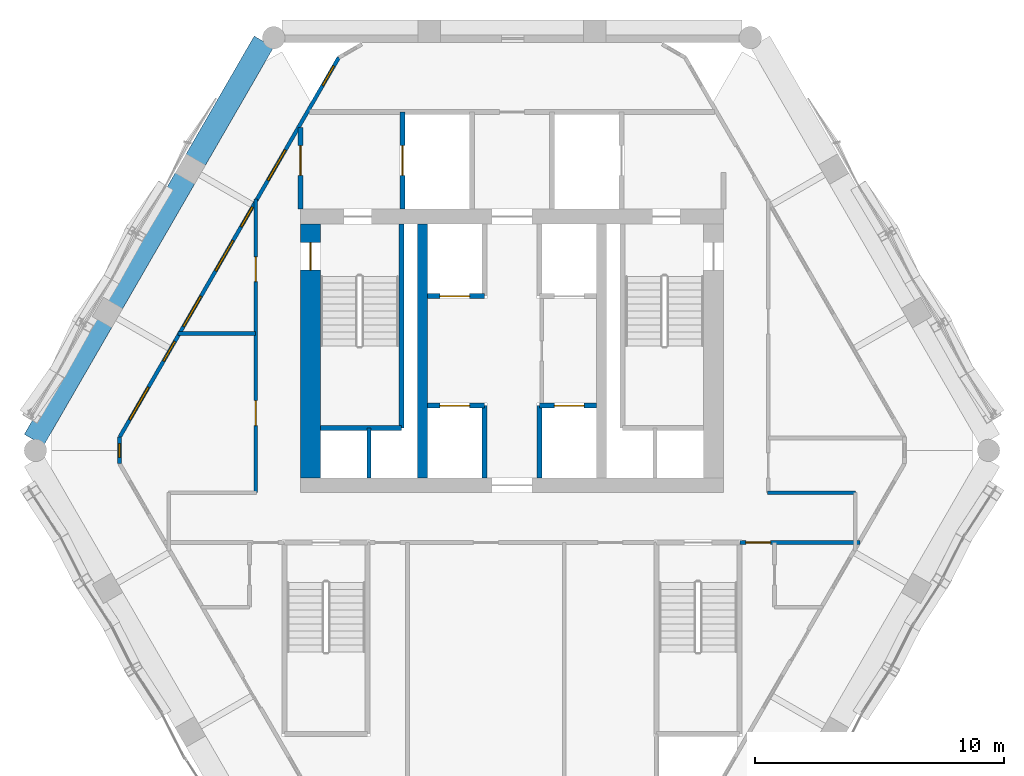
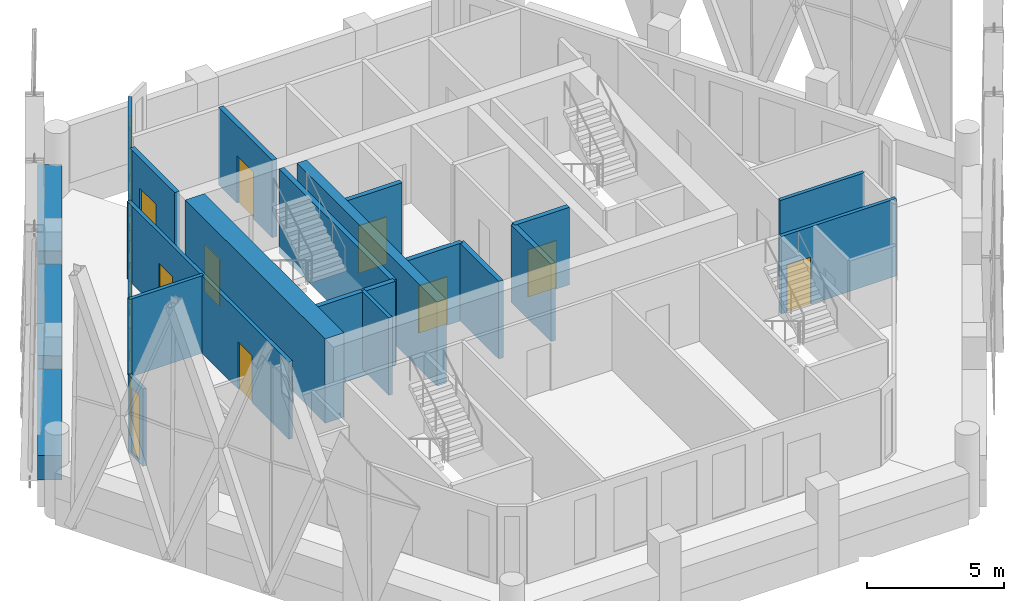
# One storey, part 13 of 18: 21 walls, 9 doors, 8 windows, 17 openings.
"""IFC4 building model written with IfcOpenShell, lengths in metres."""

from ifc_helpers import new_model, si_unit, direction, frame, frame_2d, origin, place, context, subcontext, project, spatial, rectangle, extrude, material, layer, layer_set, type_object, element, fill, save


model = new_model("IFC4")

# Units and contexts
model_context = context("Model", 3, precision=1e-05, world=origin(), true_north=direction((0.0, 1.0)))
body_context = subcontext(model_context, "Body", "Model", "MODEL_VIEW")
ifc_project = project(units=[si_unit("LENGTHUNIT", "METRE"), si_unit("AREAUNIT", "SQUARE_METRE"), si_unit("VOLUMEUNIT", "CUBIC_METRE"), si_unit("PLANEANGLEUNIT", "RADIAN"), si_unit("MASSUNIT", "GRAM", prefix="KILO")], contexts=[model_context])

# Site, building, storey
site_placement = place(None, origin())
site = spatial("IfcSite", under=ifc_project, at=site_placement, CompositionType="ELEMENT")
building_placement = place(site_placement, origin())
building = spatial("IfcBuilding", under=site, at=building_placement, Name="Ostrander Bayou Hotel Tower", CompositionType="ELEMENT")
storey_placement = place(building_placement, frame((0.0, 0.0, 214.5)))
storey = spatial("IfcBuildingStorey", under=building, at=storey_placement, Name="L53", CompositionType="ELEMENT", Elevation=214.5)

# Wall, opening, door
ifc_material_1 = material(Name="Concrete f'c 60 MPa", Category="concrete")
ifc_layer_1 = layer(ifc_material_1, 0.800048828125)
ifc_layer_set_1 = layer_set([ifc_layer_1], Name="CW11 core spine wall 800 mm f'c 60 MPa")
wall_type_1 = type_object("IfcWallType", Name="CW11 core spine wall 800 mm f'c 60 MPa", PredefinedType="SHEAR", material=ifc_layer_set_1)
wall_1_placement = place(storey_placement, frame((-8.10009765625, -1.10009765625, -0.300048828125), z_axis=(0.0, 0.0, 1.0), x_axis=(0.0, 1.0, 0.0)))
wall_1 = element("IfcWall", 1, at=wall_1_placement, inside=storey, type_object=wall_type_1, Name="CW11 L53 W", PredefinedType="SHEAR", context=body_context, shape_type="SweptSolid", body=[
    extrude(rectangle(XDim=10.2001953125, YDim=0.800048828125, at=frame_2d((5.10009765625, 0.0))), origin(), (0.0, 0.0, 1.0), 3.75),
])
opening_1_placement = place(wall_1_placement, frame((8.35009765625, 0.0, 0.0)))
opening_1 = element("IfcOpeningElement", 2, at=opening_1_placement, cuts=wall_1, Name="Opening T53-008", PredefinedType="OPENING", context=body_context, shape_type="SweptSolid", body=[
    extrude(rectangle(XDim=1.10009765625, YDim=2.10009765625, at=frame_2d((0.550048828125, 1.050048828125))), frame((0.0, 0.39990234375, 0.0), z_axis=(0.0, -1.0, 0.0), x_axis=(1.0, 0.0, 0.0)), (0.0, 0.0, 1.0), 0.800048828125),
])
ifc_material_2 = material(Name="Timber door leaf", Category="wood")
door_type_1 = type_object("IfcDoorType", Name="D5 stair door 1100 x 2100 mm, 90 minute", OperationType="SINGLE_SWING_LEFT", PredefinedType="DOOR", material=ifc_material_2)
door_1_placement = place(opening_1_placement, origin())
door_1 = element("IfcDoor", 3, at=door_1_placement, inside=storey, type_object=door_type_1, Name="dr:L53:008", OperationType="SINGLE_SWING_RIGHT", OverallHeight=2.10009765625, OverallWidth=1.10009765625, PredefinedType="DOOR", context=body_context, shape_type="SweptSolid", body=[
    extrude(rectangle(XDim=1.10009765625, YDim=2.10009765625, at=frame_2d((0.550048828125, 1.050048828125))), frame((0.0, 0.02490234375, 0.0), z_axis=(0.0, -1.0, 0.0), x_axis=(1.0, 0.0, 0.0)), (0.0, 0.0, 1.0), 0.050048828125),
])
fill(opening_1, door_1)

# Wall
ifc_material_3 = material(Name="Concrete f'c 60 MPa", Category="concrete")
ifc_layer_2 = layer(ifc_material_3, 0.39990234375)
ifc_layer_set_2 = layer_set([ifc_layer_2], Name="CW12 core bank wall 400 mm f'c 60 MPa")
wall_type_2 = type_object("IfcWallType", Name="CW12 core bank wall 400 mm f'c 60 MPa", PredefinedType="SHEAR", material=ifc_layer_set_2)
wall_2_placement = place(storey_placement, frame((-3.60009765625, -1.10009765625, -0.300048828125), z_axis=(0.0, 0.0, 1.0), x_axis=(0.0, 1.0, 0.0)))
element("IfcWall", 4, at=wall_2_placement, inside=storey, type_object=wall_type_2, Name="CW12 L53 CW", PredefinedType="SHEAR", context=body_context, shape_type="SweptSolid", body=[
    extrude(rectangle(XDim=10.2001953125, YDim=0.39990234375, at=frame_2d((5.10009765625, 0.0))), origin(), (0.0, 0.0, 1.0), 3.75),
])

# Wall, openings, windows
ifc_material_4 = material(Name="Aluminium framed insulated wall", Category="aluminium")
ifc_layer_3 = layer(ifc_material_4, 0.14990234375)
ifc_layer_set_3 = layer_set([ifc_layer_3], Name="GW1 glass-line wall 150 mm")
wall_type_3 = type_object("IfcWallType", Name="GW1 glass-line wall 150 mm", PredefinedType="SOLIDWALL", material=ifc_layer_set_3)
wall_3_placement = place(storey_placement, frame((-6.96142578125, 15.79248046875, 0.0), z_axis=(0.0, 0.0, 1.0), x_axis=(-0.49999710518, -0.866027075103, 0.0)))
wall_3 = element("IfcWall", 5, at=wall_3_placement, inside=storey, type_object=wall_type_3, Name="GW1 L53 NW 1", PredefinedType="SOLIDWALL", context=body_context, shape_type="SweptSolid", body=[
    extrude(rectangle(XDim=17.62060546875, YDim=0.14990234375, at=frame_2d((8.810302734375, 0.0))), origin(), (0.0, 0.0, 1.0), 3.449951171875),
])
opening_2_placement = place(wall_3_placement, frame((4.2958984375, 0.0, 0.14990234375)))
opening_2 = element("IfcOpeningElement", 6, at=opening_2_placement, cuts=wall_3, Name="Opening W14", PredefinedType="OPENING", context=body_context, shape_type="SweptSolid", body=[
    extrude(rectangle(XDim=1.39990234375, YDim=2.85009765625, at=frame_2d((0.699951171875, 1.425048828125))), frame((0.0, 0.074951171875, 0.0), z_axis=(0.0, -1.0, 0.0), x_axis=(1.0, 0.0, 0.0)), (0.0, 0.0, 1.0), 0.14990234375),
])
opening_3_placement = place(wall_3_placement, frame((6.94921875, 0.0, 0.14990234375)))
opening_3 = element("IfcOpeningElement", 7, at=opening_3_placement, cuts=wall_3, Name="Opening W18", PredefinedType="OPENING", context=body_context, shape_type="SweptSolid", body=[
    extrude(rectangle(XDim=0.89990234375, YDim=2.85009765625, at=frame_2d((0.449951171875, 1.425048828125))), frame((0.0, 0.074951171875, 0.0), z_axis=(0.0, -1.0, 0.0), x_axis=(1.0, 0.0, 0.0)), (0.0, 0.0, 1.0), 0.14990234375),
])
opening_4_placement = place(wall_3_placement, frame((8.49609375, 0.0, 0.14990234375)))
opening_4 = element("IfcOpeningElement", 8, at=opening_4_placement, cuts=wall_3, Name="Opening W14", PredefinedType="OPENING", context=body_context, shape_type="SweptSolid", body=[
    extrude(rectangle(XDim=1.39990234375, YDim=2.85009765625, at=frame_2d((0.699951171875, 1.425048828125))), frame((0.0, 0.074951171875, 0.0), z_axis=(0.0, -1.0, 0.0), x_axis=(1.0, 0.0, 0.0)), (0.0, 0.0, 1.0), 0.14990234375),
])
opening_5_placement = place(wall_3_placement, frame((13.184814453125, 0.0, 0.14990234375)))
opening_5 = element("IfcOpeningElement", 9, at=opening_5_placement, cuts=wall_3, Name="Opening W18", PredefinedType="OPENING", context=body_context, shape_type="SweptSolid", body=[
    extrude(rectangle(XDim=0.89990234375, YDim=2.85009765625, at=frame_2d((0.449951171875, 1.425048828125))), frame((0.0, 0.074951171875, 0.0), z_axis=(0.0, -1.0, 0.0), x_axis=(1.0, 0.0, 0.0)), (0.0, 0.0, 1.0), 0.14990234375),
])
opening_6_placement = place(wall_3_placement, frame((11.084716796875, 0.0, 0.14990234375)))
opening_6 = element("IfcOpeningElement", 10, at=opening_6_placement, cuts=wall_3, Name="Opening W14", PredefinedType="OPENING", context=body_context, shape_type="SweptSolid", body=[
    extrude(rectangle(XDim=1.39990234375, YDim=2.85009765625, at=frame_2d((0.699951171875, 1.425048828125))), frame((0.0, 0.074951171875, 0.0), z_axis=(0.0, -1.0, 0.0), x_axis=(1.0, 0.0, 0.0)), (0.0, 0.0, 1.0), 0.14990234375),
])
opening_7_placement = place(wall_3_placement, frame((0.39794921875, 0.0, 0.14990234375)))
opening_7 = element("IfcOpeningElement", 11, at=opening_7_placement, cuts=wall_3, Name="Opening W18", PredefinedType="OPENING", context=body_context, shape_type="SweptSolid", body=[
    extrude(rectangle(XDim=0.89990234375, YDim=2.72998046875, at=frame_2d((0.449951171875, 1.364990234375))), frame((0.0, 0.074951171875, 0.0), z_axis=(0.0, -1.0, 0.0), x_axis=(1.0, 0.0, 0.0)), (0.0, 0.0, 1.0), 0.14990234375),
])
opening_8_placement = place(wall_3_placement, frame((15.308349609375, 0.0, 0.14990234375)))
opening_8 = element("IfcOpeningElement", 12, at=opening_8_placement, cuts=wall_3, Name="Opening W4", PredefinedType="OPENING", context=body_context, shape_type="SweptSolid", body=[
    extrude(rectangle(XDim=1.5, YDim=2.72998046875, at=frame_2d((0.75, 1.364990234375))), frame((0.0, 0.074951171875, 0.0), z_axis=(0.0, -1.0, 0.0), x_axis=(1.0, 0.0, 0.0)), (0.0, 0.0, 1.0), 0.14990234375),
])
ifc_material_5 = material(Name="Aluminium and clear glass", Category="aluminium")
window_type_1 = type_object("IfcWindowType", Name="W14 fixed window 1400 mm, bath bay, zone 4", PartitioningType="SINGLE_PANEL", PredefinedType="WINDOW", material=ifc_material_5)
window_1_placement = place(opening_2_placement, origin())
window_1 = element("IfcWindow", 13, at=window_1_placement, inside=storey, type_object=window_type_1, Name="W14 L53 NW 1", OverallHeight=2.85009765625, OverallWidth=1.39990234375, PartitioningType="SINGLE_PANEL", PredefinedType="WINDOW", context=body_context, shape_type="SweptSolid", body=[
    extrude(rectangle(XDim=1.39990234375, YDim=2.85009765625, at=frame_2d((0.699951171875, 1.425048828125))), frame((0.0, 0.030029296875, 0.0), z_axis=(0.0, -1.0, 0.0), x_axis=(1.0, 0.0, 0.0)), (0.0, 0.0, 1.0), 0.06005859375),
])
fill(opening_2, window_1)
window_2_placement = place(opening_4_placement, origin())
window_2 = element("IfcWindow", 14, at=window_2_placement, inside=storey, type_object=window_type_1, Name="W14 L53 NW 2", OverallHeight=2.85009765625, OverallWidth=1.39990234375, PartitioningType="SINGLE_PANEL", PredefinedType="WINDOW", context=body_context, shape_type="SweptSolid", body=[
    extrude(rectangle(XDim=1.39990234375, YDim=2.85009765625, at=frame_2d((0.699951171875, 1.425048828125))), frame((0.0, 0.030029296875, 0.0), z_axis=(0.0, -1.0, 0.0), x_axis=(1.0, 0.0, 0.0)), (0.0, 0.0, 1.0), 0.06005859375),
])
fill(opening_4, window_2)
window_3_placement = place(opening_6_placement, origin())
window_3 = element("IfcWindow", 15, at=window_3_placement, inside=storey, type_object=window_type_1, Name="W14 L53 NW 3", OverallHeight=2.85009765625, OverallWidth=1.39990234375, PartitioningType="SINGLE_PANEL", PredefinedType="WINDOW", context=body_context, shape_type="SweptSolid", body=[
    extrude(rectangle(XDim=1.39990234375, YDim=2.85009765625, at=frame_2d((0.699951171875, 1.425048828125))), frame((0.0, 0.030029296875, 0.0), z_axis=(0.0, -1.0, 0.0), x_axis=(1.0, 0.0, 0.0)), (0.0, 0.0, 1.0), 0.06005859375),
])
fill(opening_6, window_3)
ifc_material_6 = material(Name="Aluminium and clear glass", Category="aluminium")
window_type_2 = type_object("IfcWindowType", Name="W18 window 900 mm, zone 4", PartitioningType="SINGLE_PANEL", PredefinedType="WINDOW", material=ifc_material_6)
window_4_placement = place(opening_3_placement, origin())
window_4 = element("IfcWindow", 16, at=window_4_placement, inside=storey, type_object=window_type_2, Name="W18 L53 NW 2", OverallHeight=2.85009765625, OverallWidth=0.89990234375, PartitioningType="SINGLE_PANEL", PredefinedType="WINDOW", context=body_context, shape_type="SweptSolid", body=[
    extrude(rectangle(XDim=0.89990234375, YDim=2.85009765625, at=frame_2d((0.449951171875, 1.425048828125))), frame((0.0, 0.030029296875, 0.0), z_axis=(0.0, -1.0, 0.0), x_axis=(1.0, 0.0, 0.0)), (0.0, 0.0, 1.0), 0.06005859375),
])
fill(opening_3, window_4)
window_5_placement = place(opening_5_placement, origin())
window_5 = element("IfcWindow", 17, at=window_5_placement, inside=storey, type_object=window_type_2, Name="W18 L53 NW 3", OverallHeight=2.85009765625, OverallWidth=0.89990234375, PartitioningType="SINGLE_PANEL", PredefinedType="WINDOW", context=body_context, shape_type="SweptSolid", body=[
    extrude(rectangle(XDim=0.89990234375, YDim=2.85009765625, at=frame_2d((0.449951171875, 1.425048828125))), frame((0.0, 0.030029296875, 0.0), z_axis=(0.0, -1.0, 0.0), x_axis=(1.0, 0.0, 0.0)), (0.0, 0.0, 1.0), 0.06005859375),
])
fill(opening_5, window_5)
window_6_placement = place(opening_7_placement, origin())
window_6 = element("IfcWindow", 18, at=window_6_placement, inside=storey, type_object=window_type_2, Name="W18 L53 NW E11", OverallHeight=2.72998046875, OverallWidth=0.89990234375, PartitioningType="SINGLE_PANEL", PredefinedType="WINDOW", context=body_context, shape_type="SweptSolid", body=[
    extrude(rectangle(XDim=0.89990234375, YDim=2.72998046875, at=frame_2d((0.449951171875, 1.364990234375))), frame((0.0, 0.030029296875, 0.0), z_axis=(0.0, -1.0, 0.0), x_axis=(1.0, 0.0, 0.0)), (0.0, 0.0, 1.0), 0.06005859375),
])
fill(opening_7, window_6)
ifc_material_7 = material(Name="Aluminium and clear glass", Category="aluminium")
window_type_3 = type_object("IfcWindowType", Name="W4 fixed window 1500 mm, zone 4", PartitioningType="SINGLE_PANEL", PredefinedType="WINDOW", material=ifc_material_7)
window_7_placement = place(opening_8_placement, origin())
window_7 = element("IfcWindow", 19, at=window_7_placement, inside=storey, type_object=window_type_3, Name="W4 L53 NW E21", OverallHeight=2.72998046875, OverallWidth=1.5, PartitioningType="SINGLE_PANEL", PredefinedType="WINDOW", context=body_context, shape_type="SweptSolid", body=[
    extrude(rectangle(XDim=1.5, YDim=2.72998046875, at=frame_2d((0.75, 1.364990234375))), frame((0.0, 0.030029296875, 0.0), z_axis=(0.0, -1.0, 0.0), x_axis=(1.0, 0.0, 0.0)), (0.0, 0.0, 1.0), 0.06005859375),
])
fill(opening_8, window_7)

# Wall, opening, window
wall_4_placement = place(storey_placement, frame((-15.771728515625, 0.532470703125, 0.0), z_axis=(0.0, 0.0, 1.0), x_axis=(0.0, -1.0, 0.0)))
wall_4 = element("IfcWall", 20, at=wall_4_placement, inside=storey, type_object=wall_type_3, Name="GW1 L53 corner 2", PredefinedType="SOLIDWALL", context=body_context, shape_type="SweptSolid", body=[
    extrude(rectangle(XDim=1.06494140625, YDim=0.14990234375, at=frame_2d((0.532470703125, 0.0))), origin(), (0.0, 0.0, 1.0), 3.449951171875),
])
opening_9_placement = place(wall_4_placement, frame((0.257568359375, 0.0, 0.14990234375)))
opening_9 = element("IfcOpeningElement", 21, at=opening_9_placement, cuts=wall_4, Name="Opening W19", PredefinedType="OPENING", context=body_context, shape_type="SweptSolid", body=[
    extrude(rectangle(XDim=0.550048828125, YDim=2.85009765625, at=frame_2d((0.27490234375, 1.425048828125))), frame((0.0, 0.074951171875, 0.0), z_axis=(0.0, -1.0, 0.0), x_axis=(1.0, 0.0, 0.0)), (0.0, 0.0, 1.0), 0.14990234375),
])
ifc_material_8 = material(Name="Aluminium and clear glass", Category="aluminium")
window_type_4 = type_object("IfcWindowType", Name="W19 corner window 550 mm", PartitioningType="SINGLE_PANEL", PredefinedType="WINDOW", material=ifc_material_8)
window_8_placement = place(opening_9_placement, origin())
window_8 = element("IfcWindow", 22, at=window_8_placement, inside=storey, type_object=window_type_4, Name="W19 L53 corner 2", OverallHeight=2.85009765625, OverallWidth=0.550048828125, PartitioningType="SINGLE_PANEL", PredefinedType="WINDOW", context=body_context, shape_type="SweptSolid", body=[
    extrude(rectangle(XDim=0.550048828125, YDim=2.85009765625, at=frame_2d((0.27490234375, 1.425048828125))), frame((0.0, 0.030029296875, 0.0), z_axis=(0.0, -1.0, 0.0), x_axis=(1.0, 0.0, 0.0)), (0.0, 0.0, 1.0), 0.06005859375),
])
fill(opening_9, window_8)

# Walls
ifc_material_9 = material(Name="Concrete f'c 40 MPa", Category="concrete")
ifc_layer_4 = layer(ifc_material_9, 0.89990234375)
ifc_layer_set_4 = layer_set([ifc_layer_4], Name="PA1 stone-faced parapet 900 mm")
wall_type_4 = type_object("IfcWallType", Name="PA1 stone-faced parapet 900 mm", PredefinedType="PARAPET", material=ifc_layer_set_4)
wall_5_placement = place(storey_placement, frame((-9.971923828125, 16.427978515625, 0.0), z_axis=(0.0, 0.0, 1.0), x_axis=(-0.50000722722, -0.866021231107, 0.0)))
element("IfcWall", 23, at=wall_5_placement, inside=storey, type_object=wall_type_4, Name="PA1 L53 NW-1", PredefinedType="PARAPET", context=body_context, shape_type="SweptSolid", body=[
    extrude(rectangle(XDim=5.49169921875, YDim=0.89990234375, at=frame_2d((2.745849609375, 0.0))), origin(), (0.0, 0.0, 1.0), 1.10009765625),
])
wall_6_placement = place(storey_placement, frame((-13.1376953125, 10.944580078125, 0.0), z_axis=(0.0, 0.0, 1.0), x_axis=(-0.500015433515, -0.866016493057, 0.0)))
element("IfcWall", 24, at=wall_6_placement, inside=storey, type_object=wall_type_4, Name="PA1 L53 NW-2", PredefinedType="PARAPET", context=body_context, shape_type="SweptSolid", body=[
    extrude(rectangle(XDim=5.818603515625, YDim=0.89990234375, at=frame_2d((2.9091796875, 0.0))), origin(), (0.0, 0.0, 1.0), 1.10009765625),
])
wall_7_placement = place(storey_placement, frame((-16.46728515625, 5.177978515625, 0.0), z_axis=(0.0, 0.0, 1.0), x_axis=(-0.50000722722, -0.866021231107, 0.0)))
element("IfcWall", 25, at=wall_7_placement, inside=storey, type_object=wall_type_4, Name="PA1 L53 NW-3", PredefinedType="PARAPET", context=body_context, shape_type="SweptSolid", body=[
    extrude(rectangle(XDim=5.49169921875, YDim=0.89990234375, at=frame_2d((2.745849609375, 0.0))), origin(), (0.0, 0.0, 1.0), 1.10009765625),
])

# Wall, opening, door
ifc_material_10 = material(Name="Masonry block", Category="masonry")
ifc_layer_5 = layer(ifc_material_10, 0.199951171875)
ifc_layer_set_5 = layer_set([ifc_layer_5], Name="PT5 stair enclosure wall 200 mm masonry, 2 hour")
wall_type_5 = type_object("IfcWallType", Name="PT5 stair enclosure wall 200 mm masonry, 2 hour", PredefinedType="PARTITIONING", material=ifc_layer_set_5)
wall_8_placement = place(storey_placement, frame((-8.5, 9.699951171875, 0.0), z_axis=(0.0, 0.0, 1.0), x_axis=(0.0, 1.0, 0.0)))
wall_8 = element("IfcWall", 26, at=wall_8_placement, inside=storey, type_object=wall_type_5, Name="cs:L53:025", PredefinedType="PARTITIONING", context=body_context, shape_type="SweptSolid", body=[
    extrude(rectangle(XDim=3.277587890625, YDim=0.199951171875, at=frame_2d((1.638671875, 0.0))), origin(), (0.0, 0.0, 1.0), 3.449951171875),
])
opening_10_placement = place(wall_8_placement, frame((1.35009765625, 0.0, 0.0)))
opening_10 = element("IfcOpeningElement", 27, at=opening_10_placement, cuts=wall_8, Name="Opening T53-014", PredefinedType="OPENING", context=body_context, shape_type="SweptSolid", body=[
    extrude(rectangle(XDim=1.199951171875, YDim=2.10009765625, at=frame_2d((0.60009765625, 1.050048828125))), frame((0.0, 0.10009765625, 0.0), z_axis=(0.0, -1.0, 0.0), x_axis=(1.0, 0.0, 0.0)), (0.0, 0.0, 1.0), 0.199951171875),
])
ifc_material_11 = material(Name="Timber door leaf", Category="wood")
door_type_2 = type_object("IfcDoorType", Name="D7 lobby door 1200 x 2100 mm, 1 hour", OperationType="SINGLE_SWING_LEFT", PredefinedType="DOOR", material=ifc_material_11)
door_2_placement = place(opening_10_placement, origin())
door_2 = element("IfcDoor", 28, at=door_2_placement, inside=storey, type_object=door_type_2, Name="dr:L53:014", OperationType="SINGLE_SWING_LEFT", OverallHeight=2.10009765625, OverallWidth=1.199951171875, PredefinedType="DOOR", context=body_context, shape_type="SweptSolid", body=[
    extrude(rectangle(XDim=1.199951171875, YDim=2.10009765625, at=frame_2d((0.60009765625, 1.050048828125))), frame((0.0, 0.02490234375, 0.0), z_axis=(0.0, -1.0, 0.0), x_axis=(1.0, 0.0, 0.0)), (0.0, 0.0, 1.0), 0.050048828125),
])
fill(opening_10, door_2)

wall_9_placement = place(storey_placement, frame((-4.39990234375, 9.699951171875, 0.0), z_axis=(0.0, 0.0, 1.0), x_axis=(0.0, 1.0, 0.0)))
wall_9 = element("IfcWall", 29, at=wall_9_placement, inside=storey, type_object=wall_type_5, Name="cs:L53:027", PredefinedType="PARTITIONING", context=body_context, shape_type="SweptSolid", body=[
    extrude(rectangle(XDim=3.900146484375, YDim=0.199951171875, at=frame_2d((1.9501953125, 0.0))), origin(), (0.0, 0.0, 1.0), 3.449951171875),
])
opening_11_placement = place(wall_9_placement, frame((1.35009765625, 0.0, 0.0)))
opening_11 = element("IfcOpeningElement", 30, at=opening_11_placement, cuts=wall_9, Name="Opening T53-013", PredefinedType="OPENING", context=body_context, shape_type="SweptSolid", body=[
    extrude(rectangle(XDim=1.199951171875, YDim=2.10009765625, at=frame_2d((0.60009765625, 1.050048828125))), frame((0.0, 0.10009765625, 0.0), z_axis=(0.0, -1.0, 0.0), x_axis=(1.0, 0.0, 0.0)), (0.0, 0.0, 1.0), 0.199951171875),
])
ifc_material_12 = material(Name="Stainless steel sliding door", Category="steel")
door_type_3 = type_object("IfcDoorType", Name="LD1 lift landing door 1200 x 2100 mm", OperationType="SINGLE_SWING_LEFT", PredefinedType="DOOR", material=ifc_material_12)
door_3_placement = place(opening_11_placement, origin())
door_3 = element("IfcDoor", 31, at=door_3_placement, inside=storey, type_object=door_type_3, Name="dr:L53:013", OperationType="SLIDING_TO_LEFT", OverallHeight=2.10009765625, OverallWidth=1.199951171875, PredefinedType="DOOR", context=body_context, shape_type="SweptSolid", body=[
    extrude(rectangle(XDim=1.199951171875, YDim=2.10009765625, at=frame_2d((0.60009765625, 1.050048828125))), frame((0.0, 0.02490234375, 0.0), z_axis=(0.0, -1.0, 0.0), x_axis=(1.0, 0.0, 0.0)), (0.0, 0.0, 1.0), 0.050048828125),
])
fill(opening_11, door_3)

ifc_material_13 = material(Name="Masonry block", Category="masonry")
ifc_layer_6 = layer(ifc_material_13, 0.199951171875)
ifc_layer_set_6 = layer_set([ifc_layer_6], Name="PT6 lift shaft wall 200 mm masonry, 2 hour")
wall_type_6 = type_object("IfcWallType", Name="PT6 lift shaft wall 200 mm masonry, 2 hour", PredefinedType="PARTITIONING", material=ifc_layer_set_6)
wall_10_placement = place(storey_placement, frame((-3.39990234375, 1.800048828125, 0.0), z_axis=(0.0, 0.0, 1.0), x_axis=(1.0, 0.0, 0.0)))
wall_10 = element("IfcWall", 32, at=wall_10_placement, inside=storey, type_object=wall_type_6, Name="cs:L53:001", PredefinedType="PARTITIONING", context=body_context, shape_type="SweptSolid", body=[
    extrude(rectangle(XDim=2.2998046875, YDim=0.199951171875, at=frame_2d((1.14990234375, 0.0))), origin(), (0.0, 0.0, 1.0), 3.449951171875),
])
opening_12_placement = place(wall_10_placement, frame((0.5, 0.0, 0.0)))
opening_12 = element("IfcOpeningElement", 33, at=opening_12_placement, cuts=wall_10, Name="Opening T53-001", PredefinedType="OPENING", context=body_context, shape_type="SweptSolid", body=[
    extrude(rectangle(XDim=1.199951171875, YDim=2.10009765625, at=frame_2d((0.60009765625, 1.050048828125))), frame((0.0, 0.10009765625, 0.0), z_axis=(0.0, -1.0, 0.0), x_axis=(1.0, 0.0, 0.0)), (0.0, 0.0, 1.0), 0.199951171875),
])
door_4_placement = place(opening_12_placement, origin())
door_4 = element("IfcDoor", 34, at=door_4_placement, inside=storey, type_object=door_type_3, Name="dr:L53:001", OperationType="SLIDING_TO_LEFT", OverallHeight=2.10009765625, OverallWidth=1.199951171875, PredefinedType="DOOR", context=body_context, shape_type="SweptSolid", body=[
    extrude(rectangle(XDim=1.199951171875, YDim=2.10009765625, at=frame_2d((0.60009765625, 1.050048828125))), frame((0.0, 0.02490234375, 0.0), z_axis=(0.0, -1.0, 0.0), x_axis=(1.0, 0.0, 0.0)), (0.0, 0.0, 1.0), 0.050048828125),
])
fill(opening_12, door_4)

wall_11_placement = place(storey_placement, frame((-3.39990234375, 6.199951171875, 0.0), z_axis=(0.0, 0.0, 1.0), x_axis=(1.0, 0.0, 0.0)))
wall_11 = element("IfcWall", 35, at=wall_11_placement, inside=storey, type_object=wall_type_6, Name="cs:L53:002", PredefinedType="PARTITIONING", context=body_context, shape_type="SweptSolid", body=[
    extrude(rectangle(XDim=2.2998046875, YDim=0.199951171875, at=frame_2d((1.14990234375, 0.0))), origin(), (0.0, 0.0, 1.0), 3.449951171875),
])
opening_13_placement = place(wall_11_placement, frame((0.5, 0.0, 0.0)))
opening_13 = element("IfcOpeningElement", 36, at=opening_13_placement, cuts=wall_11, Name="Opening T53-003", PredefinedType="OPENING", context=body_context, shape_type="SweptSolid", body=[
    extrude(rectangle(XDim=1.199951171875, YDim=2.10009765625, at=frame_2d((0.60009765625, 1.050048828125))), frame((0.0, 0.10009765625, 0.0), z_axis=(0.0, -1.0, 0.0), x_axis=(1.0, 0.0, 0.0)), (0.0, 0.0, 1.0), 0.199951171875),
])
door_5_placement = place(opening_13_placement, origin())
door_5 = element("IfcDoor", 37, at=door_5_placement, inside=storey, type_object=door_type_3, Name="dr:L53:003", OperationType="SLIDING_TO_LEFT", OverallHeight=2.10009765625, OverallWidth=1.199951171875, PredefinedType="DOOR", context=body_context, shape_type="SweptSolid", body=[
    extrude(rectangle(XDim=1.199951171875, YDim=2.10009765625, at=frame_2d((0.60009765625, 1.050048828125))), frame((0.0, 0.02490234375, 0.0), z_axis=(0.0, -1.0, 0.0), x_axis=(1.0, 0.0, 0.0)), (0.0, 0.0, 1.0), 0.050048828125),
])
fill(opening_13, door_5)

wall_12_placement = place(storey_placement, frame((1.10009765625, 1.800048828125, 0.0), z_axis=(0.0, 0.0, 1.0), x_axis=(1.0, 0.0, 0.0)))
wall_12 = element("IfcWall", 38, at=wall_12_placement, inside=storey, type_object=wall_type_6, Name="cs:L53:003", PredefinedType="PARTITIONING", context=body_context, shape_type="SweptSolid", body=[
    extrude(rectangle(XDim=2.2998046875, YDim=0.199951171875, at=frame_2d((1.14990234375, 0.0))), origin(), (0.0, 0.0, 1.0), 3.449951171875),
])
opening_14_placement = place(wall_12_placement, frame((0.60009765625, 0.0, 0.0)))
opening_14 = element("IfcOpeningElement", 39, at=opening_14_placement, cuts=wall_12, Name="Opening T53-002", PredefinedType="OPENING", context=body_context, shape_type="SweptSolid", body=[
    extrude(rectangle(XDim=1.199951171875, YDim=2.10009765625, at=frame_2d((0.60009765625, 1.050048828125))), frame((0.0, 0.10009765625, 0.0), z_axis=(0.0, -1.0, 0.0), x_axis=(1.0, 0.0, 0.0)), (0.0, 0.0, 1.0), 0.199951171875),
])
door_6_placement = place(opening_14_placement, origin())
door_6 = element("IfcDoor", 40, at=door_6_placement, inside=storey, type_object=door_type_3, Name="dr:L53:002", OperationType="SLIDING_TO_LEFT", OverallHeight=2.10009765625, OverallWidth=1.199951171875, PredefinedType="DOOR", context=body_context, shape_type="SweptSolid", body=[
    extrude(rectangle(XDim=1.199951171875, YDim=2.10009765625, at=frame_2d((0.60009765625, 1.050048828125))), frame((0.0, 0.02490234375, 0.0), z_axis=(0.0, -1.0, 0.0), x_axis=(1.0, 0.0, 0.0)), (0.0, 0.0, 1.0), 0.050048828125),
])
fill(opening_14, door_6)

# Walls
for number, where, z_axis, x_axis, name in (
    (41, (-1.10009765625, -1.10009765625, 0.0), (0.0, 0.0, 1.0), (0.0, 1.0, 0.0), "cs:L53:005"),
    (42, (1.10009765625, -1.10009765625, 0.0), (0.0, 0.0, 1.0), (0.0, 1.0, 0.0), "cs:L53:006"),
):
    element("IfcWall", number, at=place(storey_placement, frame(where, z_axis=z_axis, x_axis=x_axis)), inside=storey, type_object=wall_type_6, Name=name, PredefinedType="PARTITIONING", context=body_context, shape_type="SweptSolid", body=[
        extrude(rectangle(XDim=2.900146484375, YDim=0.199951171875, at=frame_2d((1.4501953125, 0.0))), origin(), (0.0, 0.0, 1.0), 3.449951171875),
    ])
ifc_material_14 = material(Name="Gypsum board partition", Category="finish")
ifc_layer_7 = layer(ifc_material_14, 0.14990234375)
ifc_layer_set_7 = layer_set([ifc_layer_7], Name="PT7 riser wall 150 mm, 2 hour")
wall_type_7 = type_object("IfcWallType", Name="PT7 riser wall 150 mm, 2 hour", PredefinedType="PARTITIONING", material=ifc_layer_set_7)
wall_13_placement = place(storey_placement, frame((-5.75, -1.10009765625, 0.0), z_axis=(0.0, 0.0, 1.0), x_axis=(0.0, 1.0, 0.0)))
element("IfcWall", 43, at=wall_13_placement, inside=storey, type_object=wall_type_7, Name="cs:L53:011", PredefinedType="PARTITIONING", context=body_context, shape_type="SweptSolid", body=[
    extrude(rectangle(XDim=2.0, YDim=0.14990234375, at=frame_2d((1.0, 0.0))), origin(), (0.0, 0.0, 1.0), 3.449951171875),
])

# Wall, opening, door
ifc_material_15 = material(Name="Gypsum board partition", Category="finish")
ifc_layer_8 = layer(ifc_material_15, 0.14990234375)
ifc_layer_set_8 = layer_set([ifc_layer_8], Name="PT8 service band wall 150 mm, 1 hour")
wall_type_8 = type_object("IfcWallType", Name="PT8 service band wall 150 mm, 1 hour", PredefinedType="PARTITIONING", material=ifc_layer_set_8)
wall_14_placement = place(storey_placement, frame((9.159912109375, -3.699951171875, 0.0), z_axis=(0.0, 0.0, 1.0), x_axis=(1.0, 0.0, 0.0)))
wall_14 = element("IfcWall", 44, at=wall_14_placement, inside=storey, type_object=wall_type_8, Name="gw:L53:005", PredefinedType="PARTITIONING", context=body_context, shape_type="SweptSolid", body=[
    extrude(rectangle(XDim=4.835205078125, YDim=0.14990234375, at=frame_2d((2.41748046875, 0.0))), origin(), (0.0, 0.0, 1.0), 3.449951171875),
])
opening_15_placement = place(wall_14_placement, frame((0.239990234375, 0.0, 0.0)))
opening_15 = element("IfcOpeningElement", 45, at=opening_15_placement, cuts=wall_14, Name="Opening T53-405", PredefinedType="OPENING", context=body_context, shape_type="SweptSolid", body=[
    extrude(rectangle(XDim=1.0, YDim=2.10009765625, at=frame_2d((0.5, 1.050048828125))), frame((0.0, 0.074951171875, 0.0), z_axis=(0.0, -1.0, 0.0), x_axis=(1.0, 0.0, 0.0)), (0.0, 0.0, 1.0), 0.14990234375),
])
ifc_material_16 = material(Name="Timber door leaf", Category="wood")
door_type_4 = type_object("IfcDoorType", Name="D1 guest room door 1000 x 2100 mm, 30 minute", OperationType="SINGLE_SWING_LEFT", PredefinedType="DOOR", material=ifc_material_16)
door_7_placement = place(opening_15_placement, origin())
door_7 = element("IfcDoor", 46, at=door_7_placement, inside=storey, type_object=door_type_4, Name="dr:L53:405", OperationType="SINGLE_SWING_LEFT", OverallHeight=2.10009765625, OverallWidth=1.0, PredefinedType="DOOR", context=body_context, shape_type="SweptSolid", body=[
    extrude(rectangle(XDim=1.0, YDim=2.10009765625, at=frame_2d((0.5, 1.050048828125))), frame((0.0, 0.02490234375, 0.0), z_axis=(0.0, -1.0, 0.0), x_axis=(1.0, 0.0, 0.0)), (0.0, 0.0, 1.0), 0.050048828125),
])
fill(opening_15, door_7)

# Walls
wall_15_placement = place(storey_placement, frame((10.260009765625, -1.699951171875, 0.0), z_axis=(0.0, 0.0, 1.0), x_axis=(1.0, 0.0, 0.0)))
element("IfcWall", 47, at=wall_15_placement, inside=storey, type_object=wall_type_8, Name="gw:L53:007", PredefinedType="PARTITIONING", context=body_context, shape_type="SweptSolid", body=[
    extrude(rectangle(XDim=3.5400390625, YDim=0.14990234375, at=frame_2d((1.77001953125, 0.0))), origin(), (0.0, 0.0, 1.0), 3.449951171875),
])
wall_16_placement = place(storey_placement, frame((-13.41796875, 4.699951171875, 0.0), z_axis=(0.0, 0.0, 1.0), x_axis=(1.0, 0.0, 0.0)))
element("IfcWall", 48, at=wall_16_placement, inside=storey, type_object=wall_type_8, Name="gw:L53:009", PredefinedType="PARTITIONING", context=body_context, shape_type="SweptSolid", body=[
    extrude(rectangle(XDim=3.117919921875, YDim=0.14990234375, at=frame_2d((1.55908203125, 0.0))), origin(), (0.0, 0.0, 1.0), 3.449951171875),
])

# Wall, openings, doors
wall_17_placement = place(storey_placement, frame((-10.300048828125, -1.699951171875, 0.0), z_axis=(0.0, 0.0, 1.0), x_axis=(0.0, 1.0, 0.0)))
wall_17 = element("IfcWall", 49, at=wall_17_placement, inside=storey, type_object=wall_type_8, Name="gw:L53:016", PredefinedType="PARTITIONING", context=body_context, shape_type="SweptSolid", body=[
    extrude(rectangle(XDim=11.800048828125, YDim=0.14990234375, at=frame_2d((5.89990234375, 0.0))), origin(), (0.0, 0.0, 1.0), 3.449951171875),
])
opening_16_placement = place(wall_17_placement, frame((2.699951171875, 0.0, 0.0)))
opening_16 = element("IfcOpeningElement", 50, at=opening_16_placement, cuts=wall_17, Name="Opening T53-407", PredefinedType="OPENING", context=body_context, shape_type="SweptSolid", body=[
    extrude(rectangle(XDim=1.0, YDim=2.10009765625, at=frame_2d((0.5, 1.050048828125))), frame((0.0, 0.074951171875, 0.0), z_axis=(0.0, -1.0, 0.0), x_axis=(1.0, 0.0, 0.0)), (0.0, 0.0, 1.0), 0.14990234375),
])
opening_17_placement = place(wall_17_placement, frame((8.47998046875, 0.0, 0.0)))
opening_17 = element("IfcOpeningElement", 51, at=opening_17_placement, cuts=wall_17, Name="Opening T53-408", PredefinedType="OPENING", context=body_context, shape_type="SweptSolid", body=[
    extrude(rectangle(XDim=1.0, YDim=2.10009765625, at=frame_2d((0.5, 1.050048828125))), frame((0.0, 0.074951171875, 0.0), z_axis=(0.0, -1.0, 0.0), x_axis=(1.0, 0.0, 0.0)), (0.0, 0.0, 1.0), 0.14990234375),
])
ifc_material_17 = material(Name="Timber door leaf", Category="wood")
door_type_5 = type_object("IfcDoorType", Name="D15 room door 1000 x 2100 mm", OperationType="SINGLE_SWING_LEFT", PredefinedType="DOOR", material=ifc_material_17)
door_8_placement = place(opening_16_placement, origin())
door_8 = element("IfcDoor", 52, at=door_8_placement, inside=storey, type_object=door_type_5, Name="dr:L53:407", OperationType="SINGLE_SWING_RIGHT", OverallHeight=2.10009765625, OverallWidth=1.0, PredefinedType="DOOR", context=body_context, shape_type="SweptSolid", body=[
    extrude(rectangle(XDim=1.0, YDim=2.10009765625, at=frame_2d((0.5, 1.050048828125))), frame((0.0, 0.02490234375, 0.0), z_axis=(0.0, -1.0, 0.0), x_axis=(1.0, 0.0, 0.0)), (0.0, 0.0, 1.0), 0.050048828125),
])
fill(opening_16, door_8)
ifc_material_18 = material(Name="Timber door leaf", Category="wood")
door_type_6 = type_object("IfcDoorType", Name="D9 service door 1000 x 2100 mm, 30 minute", OperationType="SINGLE_SWING_LEFT", PredefinedType="DOOR", material=ifc_material_18)
door_9_placement = place(opening_17_placement, origin())
door_9 = element("IfcDoor", 53, at=door_9_placement, inside=storey, type_object=door_type_6, Name="dr:L53:408", OperationType="SINGLE_SWING_LEFT", OverallHeight=2.10009765625, OverallWidth=1.0, PredefinedType="DOOR", context=body_context, shape_type="SweptSolid", body=[
    extrude(rectangle(XDim=1.0, YDim=2.10009765625, at=frame_2d((0.5, 1.050048828125))), frame((0.0, 0.02490234375, 0.0), z_axis=(0.0, -1.0, 0.0), x_axis=(1.0, 0.0, 0.0)), (0.0, 0.0, 1.0), 0.050048828125),
])
fill(opening_17, door_9)

# Walls
ifc_material_19 = material(Name="Concrete f'c 45 MPa", Category="concrete")
ifc_layer_9 = layer(ifc_material_19, 0.199951171875)
ifc_layer_set_9 = layer_set([ifc_layer_9], Name="SW5 stair enclosure wall 200 mm f'c 45 MPa")
wall_type_9 = type_object("IfcWallType", Name="SW5 stair enclosure wall 200 mm f'c 45 MPa", PredefinedType="SOLIDWALL", material=ifc_layer_set_9)
wall_18_placement = place(storey_placement, frame((-4.449951171875, 0.89990234375, -0.300048828125), z_axis=(0.0, 0.0, 1.0), x_axis=(0.0, 1.0, 0.0)))
element("IfcWall", 54, at=wall_18_placement, inside=storey, type_object=wall_type_9, Name="cs:L53:009", PredefinedType="SOLIDWALL", context=body_context, shape_type="SweptSolid", body=[
    extrude(rectangle(XDim=8.2001953125, YDim=0.199951171875, at=frame_2d((4.10009765625, 0.0))), origin(), (0.0, 0.0, 1.0), 3.75),
])
wall_19_placement = place(storey_placement, frame((-7.699951171875, 0.89990234375, -0.300048828125), z_axis=(0.0, 0.0, 1.0), x_axis=(1.0, 0.0, 0.0)))
element("IfcWall", 55, at=wall_19_placement, inside=storey, type_object=wall_type_9, Name="cs:L53:010", PredefinedType="SOLIDWALL", context=body_context, shape_type="SweptSolid", body=[
    extrude(rectangle(XDim=3.25, YDim=0.199951171875, at=frame_2d((1.625, 0.0))), origin(), (0.0, 0.0, 1.0), 3.75),
])

save(model, "model.ifc")
